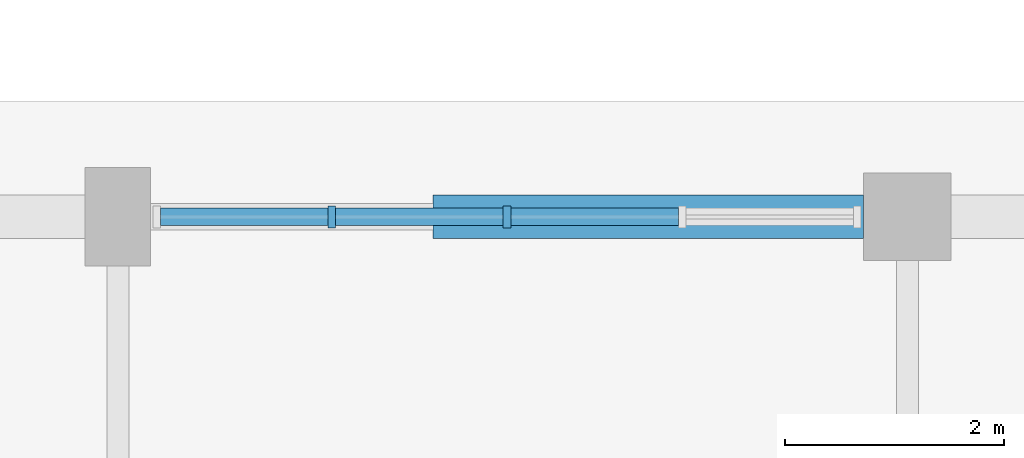
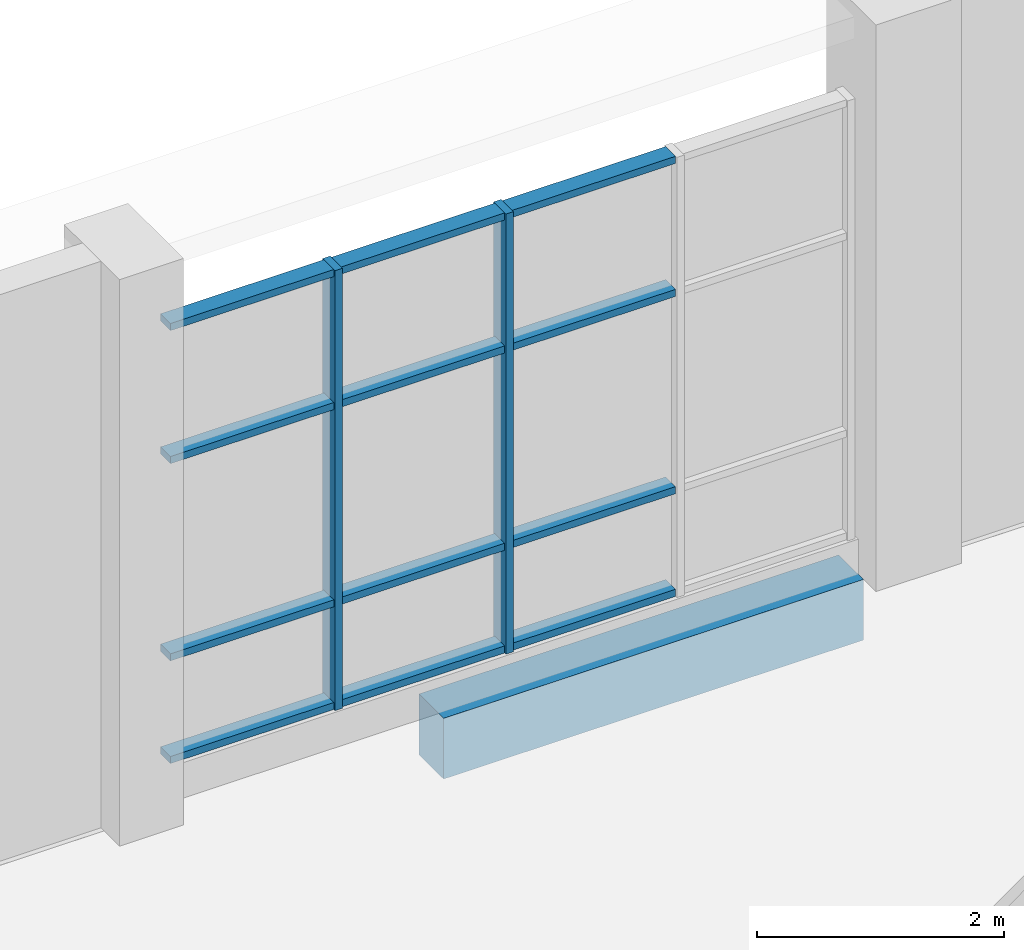
# One storey, part 26 of 80: 14 members, 1 beam, 1 element without a shape of its own.
"""IFC4 building model written with IfcOpenShell, lengths in metres."""

from ifc_helpers import new_model, si_unit, direction, frame, origin, origin_2d, place, context, subcontext, project, spatial, rectangle, extrude, material, material_profile, profile_set, type_object, element, aggregate, save


model = new_model("IFC4")

# Units and contexts
model_context = context("Model", 3, precision=1e-05, world=origin(), true_north=direction((0.0, 1.0)))
body_context = subcontext(model_context, "Body", "Model", "MODEL_VIEW")
ifc_project = project(units=[si_unit("LENGTHUNIT", "METRE"), si_unit("AREAUNIT", "SQUARE_METRE"), si_unit("VOLUMEUNIT", "CUBIC_METRE"), si_unit("PLANEANGLEUNIT", "RADIAN"), si_unit("MASSUNIT", "GRAM", prefix="KILO")], contexts=[model_context])

# Site, building, storey
site_placement = place(None, origin())
site = spatial("IfcSite", under=ifc_project, at=site_placement, CompositionType="ELEMENT")
building_placement = place(site_placement, origin())
building = spatial("IfcBuilding", under=site, at=building_placement, Name="Sardonyx Promenade Sports Hall", CompositionType="ELEMENT")
storey_placement = place(building_placement, frame((0.0, 0.0, 5.60009765625)))
storey = spatial("IfcBuildingStorey", under=building, at=storey_placement, Name="L01", CompositionType="ELEMENT", Elevation=5.60009765625)

# Beam
ifc_material_1 = material(Name="Concrete C40/50", Category="concrete")
ifc_material_profile_1 = material_profile(ifc_material_1, rectangle(XDim=0.39990234375, YDim=0.60009765625, at=origin_2d()))
ifc_profile_set_1 = profile_set([ifc_material_profile_1], Name="Concrete C40/50")
beam_type = type_object("IfcBeamType", Name="Bm_Spandrel_RC600", PredefinedType="SPANDREL", material=ifc_profile_set_1)
beam_placement = place(storey_placement, frame((125.27490234375, 86.39990234375, -0.300048828125), z_axis=(1.0, 0.0, 0.0), x_axis=(0.0, 1.0, 0.0)))
element("IfcBeam", 1, at=beam_placement, inside=storey, type_object=beam_type, Name="Beam SPB1 L01 #282", PredefinedType="SPANDREL", context=body_context, shape_type="SweptSolid", body=[
    extrude(rectangle(XDim=0.39990234375, YDim=0.60009765625, at=origin_2d()), origin(), (0.0, 0.0, 1.0), 3.925048828125),
])

# Curtain wall, members
ifc_material_2 = material(Name="Aluminium 6063-T6", Category="aluminium")
curtain_wall_type = type_object("IfcCurtainWallType", Name="CW_Prac_North_L01", PredefinedType="USERDEFINED", material=ifc_material_2)
curtain_wall_placement = place(storey_placement, origin())
curtain_wall = element("IfcCurtainWall", 2, at=curtain_wall_placement, inside=storey, type_object=curtain_wall_type, Name="Curtain wall CW04 cw:L01:104", ObjectType="CURTAIN WALL", PredefinedType="USERDEFINED")
ifc_material_3 = material(Name="Aluminium 6063-T6", Category="aluminium")
ifc_material_profile_2 = material_profile(ifc_material_3, rectangle(XDim=0.070068359375, YDim=0.199951171875, at=origin_2d()))
ifc_profile_set_2 = profile_set([ifc_material_profile_2], Name="Aluminium 6063-T6")
member_type_1 = type_object("IfcMemberType", Name="CW_Mull_200", PredefinedType="MULLION", material=ifc_profile_set_2)
member_1_placement = place(storey_placement, frame((124.3525390625, 86.39990234375, 0.349853515625), z_axis=(0.0, 0.0, 1.0), x_axis=(1.0, 0.0, 0.0)))
member_1 = element("IfcMember", 3, at=member_1_placement, type_object=member_type_1, Name="Mullion CM03 cw:L01:104 #2", PredefinedType="MULLION", context=body_context, shape_type="SweptSolid", body=[
    extrude(rectangle(XDim=0.070068359375, YDim=0.199951171875, at=origin_2d()), origin(), (0.0, 0.0, 1.0), 4.35009765625),
])
member_2_placement = place(storey_placement, frame((125.949951171875, 86.39990234375, 0.349853515625), z_axis=(0.0, 0.0, 1.0), x_axis=(1.0, 0.0, 0.0)))
member_2 = element("IfcMember", 4, at=member_2_placement, type_object=member_type_1, Name="Mullion CM03 cw:L01:104 #3", PredefinedType="MULLION", context=body_context, shape_type="SweptSolid", body=[
    extrude(rectangle(XDim=0.070068359375, YDim=0.199951171875, at=origin_2d()), origin(), (0.0, 0.0, 1.0), 4.35009765625),
])
ifc_material_4 = material(Name="Aluminium 6063-T6", Category="aluminium")
ifc_material_profile_3 = material_profile(ifc_material_4, rectangle(XDim=0.070068359375, YDim=0.159912109375, at=origin_2d()))
ifc_profile_set_3 = profile_set([ifc_material_profile_3], Name="Aluminium 6063-T6")
member_type_2 = type_object("IfcMemberType", Name="CW_Tran_160", PredefinedType="USERDEFINED", material=ifc_profile_set_3)
member_3_placement = place(storey_placement, frame((122.7900390625, 86.39990234375, 0.385009765625), z_axis=(1.0, 0.0, 0.0), x_axis=(0.0, 0.0, 1.0)))
member_3 = element("IfcMember", 5, at=member_3_placement, type_object=member_type_2, Name="Transom CT03 cw:L01:104 #1", ObjectType="TRANSOM", PredefinedType="USERDEFINED", context=body_context, shape_type="SweptSolid", body=[
    extrude(rectangle(XDim=0.070068359375, YDim=0.159912109375, at=origin_2d()), origin(), (0.0, 0.0, 1.0), 1.52734375),
])
member_4_placement = place(storey_placement, frame((122.7900390625, 86.39990234375, 1.39990234375), z_axis=(1.0, 0.0, 0.0), x_axis=(0.0, 0.0, 1.0)))
member_4 = element("IfcMember", 6, at=member_4_placement, type_object=member_type_2, Name="Transom CT03 cw:L01:104 #2", ObjectType="TRANSOM", PredefinedType="USERDEFINED", context=body_context, shape_type="SweptSolid", body=[
    extrude(rectangle(XDim=0.070068359375, YDim=0.159912109375, at=origin_2d()), origin(), (0.0, 0.0, 1.0), 1.52734375),
])
member_5_placement = place(storey_placement, frame((122.7900390625, 86.39990234375, 3.349853515625), z_axis=(1.0, 0.0, 0.0), x_axis=(0.0, 0.0, 1.0)))
member_5 = element("IfcMember", 7, at=member_5_placement, type_object=member_type_2, Name="Transom CT03 cw:L01:104 #3", ObjectType="TRANSOM", PredefinedType="USERDEFINED", context=body_context, shape_type="SweptSolid", body=[
    extrude(rectangle(XDim=0.070068359375, YDim=0.159912109375, at=origin_2d()), origin(), (0.0, 0.0, 1.0), 1.52734375),
])
member_6_placement = place(storey_placement, frame((122.7900390625, 86.39990234375, 4.664794921875), z_axis=(1.0, 0.0, 0.0), x_axis=(0.0, 0.0, 1.0)))
member_6 = element("IfcMember", 8, at=member_6_placement, type_object=member_type_2, Name="Transom CT03 cw:L01:104 #4", ObjectType="TRANSOM", PredefinedType="USERDEFINED", context=body_context, shape_type="SweptSolid", body=[
    extrude(rectangle(XDim=0.070068359375, YDim=0.159912109375, at=origin_2d()), origin(), (0.0, 0.0, 1.0), 1.52734375),
])
member_7_placement = place(storey_placement, frame((124.387451171875, 86.39990234375, 0.385009765625), z_axis=(1.0, 0.0, 0.0), x_axis=(0.0, 0.0, 1.0)))
member_7 = element("IfcMember", 9, at=member_7_placement, type_object=member_type_2, Name="Transom CT03 cw:L01:104 #5", ObjectType="TRANSOM", PredefinedType="USERDEFINED", context=body_context, shape_type="SweptSolid", body=[
    extrude(rectangle(XDim=0.070068359375, YDim=0.159912109375, at=origin_2d()), origin(), (0.0, 0.0, 1.0), 1.527587890625),
])
member_8_placement = place(storey_placement, frame((124.387451171875, 86.39990234375, 1.39990234375), z_axis=(1.0, 0.0, 0.0), x_axis=(0.0, 0.0, 1.0)))
member_8 = element("IfcMember", 10, at=member_8_placement, type_object=member_type_2, Name="Transom CT03 cw:L01:104 #6", ObjectType="TRANSOM", PredefinedType="USERDEFINED", context=body_context, shape_type="SweptSolid", body=[
    extrude(rectangle(XDim=0.070068359375, YDim=0.159912109375, at=origin_2d()), origin(), (0.0, 0.0, 1.0), 1.527587890625),
])
member_9_placement = place(storey_placement, frame((124.387451171875, 86.39990234375, 3.349853515625), z_axis=(1.0, 0.0, 0.0), x_axis=(0.0, 0.0, 1.0)))
member_9 = element("IfcMember", 11, at=member_9_placement, type_object=member_type_2, Name="Transom CT03 cw:L01:104 #7", ObjectType="TRANSOM", PredefinedType="USERDEFINED", context=body_context, shape_type="SweptSolid", body=[
    extrude(rectangle(XDim=0.070068359375, YDim=0.159912109375, at=origin_2d()), origin(), (0.0, 0.0, 1.0), 1.527587890625),
])
member_10_placement = place(storey_placement, frame((124.387451171875, 86.39990234375, 4.664794921875), z_axis=(1.0, 0.0, 0.0), x_axis=(0.0, 0.0, 1.0)))
member_10 = element("IfcMember", 12, at=member_10_placement, type_object=member_type_2, Name="Transom CT03 cw:L01:104 #8", ObjectType="TRANSOM", PredefinedType="USERDEFINED", context=body_context, shape_type="SweptSolid", body=[
    extrude(rectangle(XDim=0.070068359375, YDim=0.159912109375, at=origin_2d()), origin(), (0.0, 0.0, 1.0), 1.527587890625),
])
member_11_placement = place(storey_placement, frame((125.985107421875, 86.39990234375, 0.385009765625), z_axis=(1.0, 0.0, 0.0), x_axis=(0.0, 0.0, 1.0)))
member_11 = element("IfcMember", 13, at=member_11_placement, type_object=member_type_2, Name="Transom CT03 cw:L01:104 #9", ObjectType="TRANSOM", PredefinedType="USERDEFINED", context=body_context, shape_type="SweptSolid", body=[
    extrude(rectangle(XDim=0.070068359375, YDim=0.159912109375, at=origin_2d()), origin(), (0.0, 0.0, 1.0), 1.52734375),
])
member_12_placement = place(storey_placement, frame((125.985107421875, 86.39990234375, 1.39990234375), z_axis=(1.0, 0.0, 0.0), x_axis=(0.0, 0.0, 1.0)))
member_12 = element("IfcMember", 14, at=member_12_placement, type_object=member_type_2, Name="Transom CT03 cw:L01:104 #10", ObjectType="TRANSOM", PredefinedType="USERDEFINED", context=body_context, shape_type="SweptSolid", body=[
    extrude(rectangle(XDim=0.070068359375, YDim=0.159912109375, at=origin_2d()), origin(), (0.0, 0.0, 1.0), 1.52734375),
])
member_13_placement = place(storey_placement, frame((125.985107421875, 86.39990234375, 3.349853515625), z_axis=(1.0, 0.0, 0.0), x_axis=(0.0, 0.0, 1.0)))
member_13 = element("IfcMember", 15, at=member_13_placement, type_object=member_type_2, Name="Transom CT03 cw:L01:104 #11", ObjectType="TRANSOM", PredefinedType="USERDEFINED", context=body_context, shape_type="SweptSolid", body=[
    extrude(rectangle(XDim=0.070068359375, YDim=0.159912109375, at=origin_2d()), origin(), (0.0, 0.0, 1.0), 1.52734375),
])
member_14_placement = place(storey_placement, frame((125.985107421875, 86.39990234375, 4.664794921875), z_axis=(1.0, 0.0, 0.0), x_axis=(0.0, 0.0, 1.0)))
member_14 = element("IfcMember", 16, at=member_14_placement, type_object=member_type_2, Name="Transom CT03 cw:L01:104 #12", ObjectType="TRANSOM", PredefinedType="USERDEFINED", context=body_context, shape_type="SweptSolid", body=[
    extrude(rectangle(XDim=0.070068359375, YDim=0.159912109375, at=origin_2d()), origin(), (0.0, 0.0, 1.0), 1.52734375),
])
aggregate(curtain_wall, [member_1, member_2, member_3, member_4, member_5, member_6, member_7, member_8, member_9, member_10, member_11, member_12, member_13, member_14])

save(model, "model.ifc")
